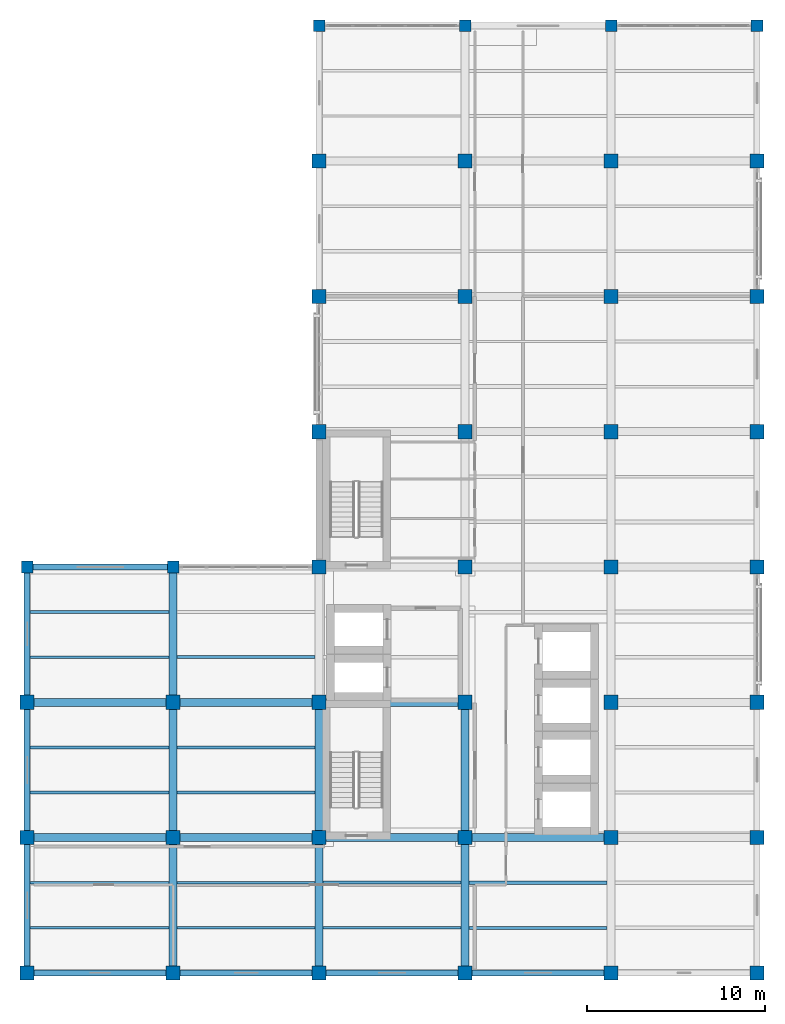
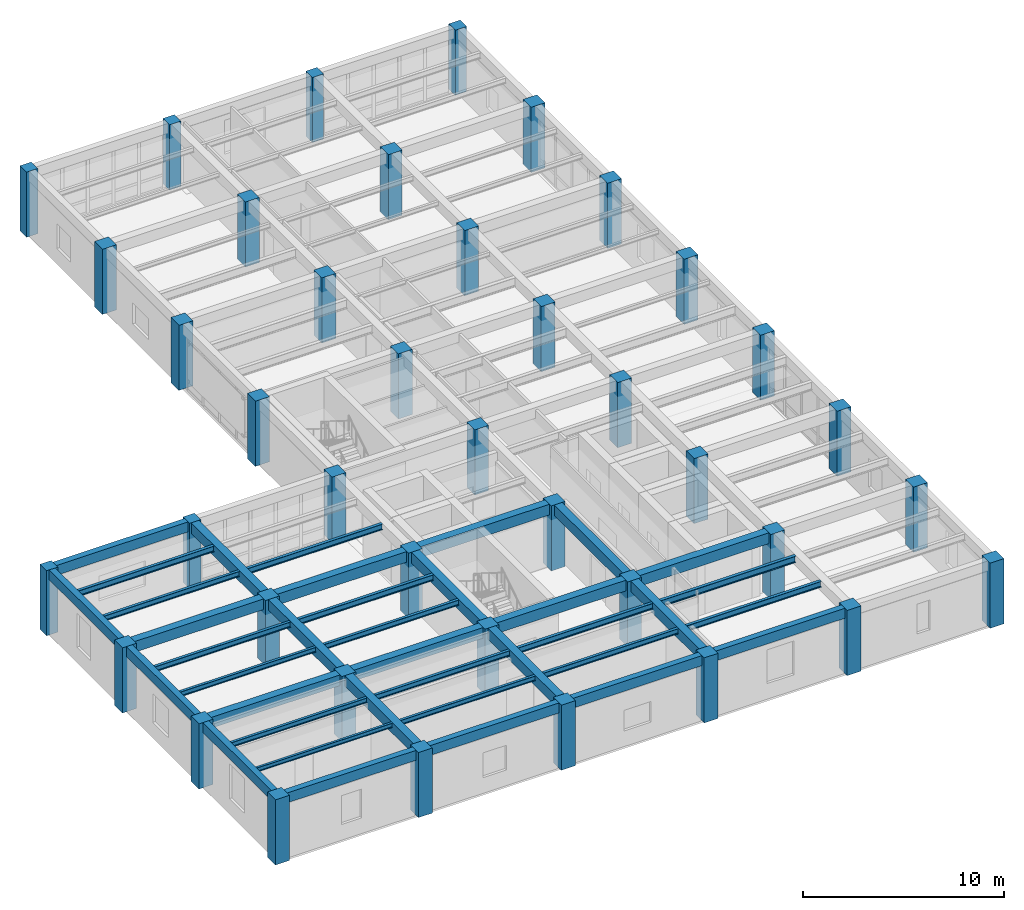
# One storey, part 1 of 13: 40 columns, 37 beams.
"""IFC4 building model written with IfcOpenShell, lengths in metres."""

from ifc_helpers import new_model, si_unit, direction, frame, origin, origin_2d, place, context, subcontext, project, spatial, rectangle, i_section, extrude, material, material_profile, profile_set, type_object, element, save


model = new_model("IFC4")

# Units and contexts
model_context = context("Model", 3, precision=1e-05, world=origin(), true_north=direction((0.0, 1.0)))
body_context = subcontext(model_context, "Body", "Model", "MODEL_VIEW")
ifc_project = project(units=[si_unit("LENGTHUNIT", "METRE"), si_unit("AREAUNIT", "SQUARE_METRE"), si_unit("VOLUMEUNIT", "CUBIC_METRE"), si_unit("PLANEANGLEUNIT", "RADIAN"), si_unit("MASSUNIT", "GRAM", prefix="KILO")], contexts=[model_context])

# Site, building, storey
site_placement = place(None, origin())
site = spatial("IfcSite", under=ifc_project, at=site_placement, CompositionType="ELEMENT")
building_placement = place(site_placement, origin())
building = spatial("IfcBuilding", under=site, at=building_placement, Name="Qandaris Square Conservatory and Botanical Centre", CompositionType="ELEMENT")
storey_placement = place(building_placement, frame((0.0, 0.0, 45.0)))
storey = spatial("IfcBuildingStorey", under=building, at=storey_placement, Name="L10", CompositionType="ELEMENT", Elevation=45.0)

# Columns
ifc_material_1 = material(Name="Concrete C50/60", Category="concrete")
ifc_material_profile_1 = material_profile(ifc_material_1, rectangle(XDim=0.64990234375, YDim=0.64990234375, at=origin_2d()), Name="RC-COL 650x650")
ifc_profile_set_1 = profile_set([ifc_material_profile_1], Name="Concrete C50/60")
column_type_1 = type_object("IfcColumnType", Name="RC Column 650x650", PredefinedType="COLUMN", material=ifc_profile_set_1)
for number, where, z_axis, x_axis, name in (
    (1, (122.800048828125, 39.39990234375, 0.0), (0.0, 0.0, 1.0), (1.0, 0.0, 0.0), "Column E15 (L10)"),
    (2, (131.0, 39.39990234375, 0.0), (0.0, 0.0, 1.0), (1.0, 0.0, 0.0), "Column E16 (L10)"),
    (3, (139.199951171875, 69.800048828125, 0.0), (0.0, 0.0, 1.0), (1.0, 0.0, 0.0), "Column J17 (L10)"),
    (4, (147.39990234375, 69.800048828125, 0.0), (0.0, 0.0, 1.0), (1.0, 0.0, 0.0), "Column J18 (L10)"),
    (5, (155.60009765625, 69.800048828125, 0.0), (0.0, 0.0, 1.0), (1.0, 0.0, 0.0), "Column J19 (L10)"),
    (6, (163.800048828125, 69.800048828125, 0.0), (0.0, 0.0, 1.0), (1.0, 0.0, 0.0), "Column J20 (L10)"),
):
    element("IfcColumn", number, at=place(storey_placement, frame(where, z_axis=z_axis, x_axis=x_axis)), inside=storey, type_object=column_type_1, Name=name, PredefinedType="COLUMN", context=body_context, shape_type="SweptSolid", body=[
        extrude(rectangle(XDim=0.64990234375, YDim=0.64990234375, at=origin_2d()), origin(), (0.0, 0.0, 1.0), 3.949951171875),
    ])
ifc_material_profile_2 = material_profile(ifc_material_1, rectangle(XDim=0.800048828125, YDim=0.800048828125, at=origin_2d()), Name="RC-COL 800x800")
ifc_profile_set_2 = profile_set([ifc_material_profile_2], Name="Concrete C50/60")
column_type_2 = type_object("IfcColumnType", Name="RC Column 800x800", PredefinedType="COLUMN", material=ifc_profile_set_2)
for number, where, z_axis, x_axis, name in (
    (7, (122.800048828125, 16.60009765625, 0.0), (0.0, 0.0, 1.0), (1.0, 0.0, 0.0), "Column B15 (L10)"),
    (8, (122.800048828125, 24.199951171875, 0.0), (0.0, 0.0, 1.0), (1.0, 0.0, 0.0), "Column C15 (L10)"),
    (9, (122.800048828125, 31.800048828125, 0.0), (0.0, 0.0, 1.0), (1.0, 0.0, 0.0), "Column D15 (L10)"),
    (10, (131.0, 16.60009765625, 0.0), (0.0, 0.0, 1.0), (1.0, 0.0, 0.0), "Column B16 (L10)"),
    (11, (131.0, 24.199951171875, 0.0), (0.0, 0.0, 1.0), (1.0, 0.0, 0.0), "Column C16 (L10)"),
    (12, (131.0, 31.800048828125, 0.0), (0.0, 0.0, 1.0), (1.0, 0.0, 0.0), "Column D16 (L10)"),
    (13, (139.199951171875, 16.60009765625, 0.0), (0.0, 0.0, 1.0), (1.0, 0.0, 0.0), "Column B17 (L10)"),
    (14, (139.199951171875, 24.199951171875, 0.0), (0.0, 0.0, 1.0), (1.0, 0.0, 0.0), "Column C17 (L10)"),
    (15, (139.199951171875, 31.800048828125, 0.0), (0.0, 0.0, 1.0), (1.0, 0.0, 0.0), "Column D17 (L10)"),
    (16, (139.199951171875, 39.39990234375, 0.0), (0.0, 0.0, 1.0), (1.0, 0.0, 0.0), "Column E17 (L10)"),
    (17, (139.199951171875, 47.0, 0.0), (0.0, 0.0, 1.0), (1.0, 0.0, 0.0), "Column F17 (L10)"),
    (18, (139.199951171875, 54.60009765625, 0.0), (0.0, 0.0, 1.0), (1.0, 0.0, 0.0), "Column G17 (L10)"),
    (19, (139.199951171875, 62.199951171875, 0.0), (0.0, 0.0, 1.0), (1.0, 0.0, 0.0), "Column H17 (L10)"),
    (20, (147.39990234375, 16.60009765625, 0.0), (0.0, 0.0, 1.0), (1.0, 0.0, 0.0), "Column B18 (L10)"),
    (21, (147.39990234375, 24.199951171875, 0.0), (0.0, 0.0, 1.0), (1.0, 0.0, 0.0), "Column C18 (L10)"),
    (22, (147.39990234375, 31.800048828125, 0.0), (0.0, 0.0, 1.0), (1.0, 0.0, 0.0), "Column D18 (L10)"),
    (23, (147.39990234375, 39.39990234375, 0.0), (0.0, 0.0, 1.0), (1.0, 0.0, 0.0), "Column E18 (L10)"),
    (24, (147.39990234375, 47.0, 0.0), (0.0, 0.0, 1.0), (1.0, 0.0, 0.0), "Column F18 (L10)"),
    (25, (147.39990234375, 54.60009765625, 0.0), (0.0, 0.0, 1.0), (1.0, 0.0, 0.0), "Column G18 (L10)"),
    (26, (147.39990234375, 62.199951171875, 0.0), (0.0, 0.0, 1.0), (1.0, 0.0, 0.0), "Column H18 (L10)"),
    (27, (155.60009765625, 16.60009765625, 0.0), (0.0, 0.0, 1.0), (1.0, 0.0, 0.0), "Column B19 (L10)"),
    (28, (155.60009765625, 24.199951171875, 0.0), (0.0, 0.0, 1.0), (1.0, 0.0, 0.0), "Column C19 (L10)"),
    (29, (155.60009765625, 31.800048828125, 0.0), (0.0, 0.0, 1.0), (1.0, 0.0, 0.0), "Column D19 (L10)"),
    (30, (155.60009765625, 39.39990234375, 0.0), (0.0, 0.0, 1.0), (1.0, 0.0, 0.0), "Column E19 (L10)"),
    (31, (155.60009765625, 47.0, 0.0), (0.0, 0.0, 1.0), (1.0, 0.0, 0.0), "Column F19 (L10)"),
    (32, (155.60009765625, 54.60009765625, 0.0), (0.0, 0.0, 1.0), (1.0, 0.0, 0.0), "Column G19 (L10)"),
    (33, (155.60009765625, 62.199951171875, 0.0), (0.0, 0.0, 1.0), (1.0, 0.0, 0.0), "Column H19 (L10)"),
    (34, (163.800048828125, 16.60009765625, 0.0), (0.0, 0.0, 1.0), (1.0, 0.0, 0.0), "Column B20 (L10)"),
    (35, (163.800048828125, 24.199951171875, 0.0), (0.0, 0.0, 1.0), (1.0, 0.0, 0.0), "Column C20 (L10)"),
    (36, (163.800048828125, 31.800048828125, 0.0), (0.0, 0.0, 1.0), (1.0, 0.0, 0.0), "Column D20 (L10)"),
    (37, (163.800048828125, 39.39990234375, 0.0), (0.0, 0.0, 1.0), (1.0, 0.0, 0.0), "Column E20 (L10)"),
    (38, (163.800048828125, 47.0, 0.0), (0.0, 0.0, 1.0), (1.0, 0.0, 0.0), "Column F20 (L10)"),
    (39, (163.800048828125, 54.60009765625, 0.0), (0.0, 0.0, 1.0), (1.0, 0.0, 0.0), "Column G20 (L10)"),
    (40, (163.800048828125, 62.199951171875, 0.0), (0.0, 0.0, 1.0), (1.0, 0.0, 0.0), "Column H20 (L10)"),
):
    element("IfcColumn", number, at=place(storey_placement, frame(where, z_axis=z_axis, x_axis=x_axis)), inside=storey, type_object=column_type_2, Name=name, PredefinedType="COLUMN", context=body_context, shape_type="SweptSolid", body=[
        extrude(rectangle(XDim=0.800048828125, YDim=0.800048828125, at=origin_2d()), origin(), (0.0, 0.0, 1.0), 3.949951171875),
    ])

# Beams
ifc_material_2 = material(Name="Steel S355", Category="steel")
ifc_material_profile_3 = material_profile(ifc_material_2, i_section(OverallWidth=0.14990234375, OverallDepth=0.300048828125, WebThickness=0.007080078125, FlangeThickness=0.0107421875, FilletRadius=0.014892578125, at=origin_2d()), Name="IPE 300")
ifc_profile_set_3 = profile_set([ifc_material_profile_3], Name="Steel S355")
beam_type_1 = type_object("IfcBeamType", Name="Composite Lab Joist IPE 300", PredefinedType="JOIST", material=ifc_profile_set_3)
for number, where, z_axis, x_axis, name in (
    (41, (122.97509765625, 21.666748046875, 3.7900390625), (1.0, 0.0, 0.0), (0.0, 1.0, 0.0), "L10 Composite Joist 2498"),
    (42, (122.97509765625, 26.7333984375, 3.7900390625), (1.0, 0.0, 0.0), (0.0, 1.0, 0.0), "L10 Composite Joist 2499"),
):
    element("IfcBeam", number, at=place(storey_placement, frame(where, z_axis=z_axis, x_axis=x_axis)), inside=storey, type_object=beam_type_1, Name=name, PredefinedType="JOIST", context=body_context, shape_type="SweptSolid", body=[
        extrude(i_section(OverallWidth=0.14990234375, OverallDepth=0.300048828125, WebThickness=0.007080078125, FlangeThickness=0.0107421875, FilletRadius=0.014892578125, at=origin_2d()), origin(), (0.0, 0.0, 1.0), 7.7998046875),
    ])
beam_1_placement = place(storey_placement, frame((131.22509765625, 19.13330078125, 3.7900390625), z_axis=(1.0, 0.0, 0.0), x_axis=(0.0, 1.0, 0.0)))
element("IfcBeam", 43, at=beam_1_placement, inside=storey, type_object=beam_type_1, Name="L10 Composite Joist 2503", PredefinedType="JOIST", context=body_context, shape_type="SweptSolid", body=[
    extrude(i_section(OverallWidth=0.14990234375, OverallDepth=0.300048828125, WebThickness=0.007080078125, FlangeThickness=0.0107421875, FilletRadius=0.014892578125, at=origin_2d()), origin(), (0.0, 0.0, 1.0), 7.75),
])
ifc_material_profile_4 = material_profile(ifc_material_2, i_section(OverallWidth=0.159912109375, OverallDepth=0.330078125, WebThickness=0.007568359375, FlangeThickness=0.011474609375, FilletRadius=0.01806640625, at=origin_2d()), Name="IPE 330")
ifc_profile_set_4 = profile_set([ifc_material_profile_4], Name="Steel S355")
beam_type_2 = type_object("IfcBeamType", Name="Composite Lab Joist IPE 330", PredefinedType="JOIST", material=ifc_profile_set_4)
for number, where, z_axis, x_axis, name in (
    (44, (122.97509765625, 29.2666015625, 3.77490234375), (1.0, 0.0, 0.0), (0.0, 1.0, 0.0), "L10 Composite Joist 2500"),
    (45, (122.97509765625, 34.333251953125, 3.77490234375), (1.0, 0.0, 0.0), (0.0, 1.0, 0.0), "L10 Composite Joist 2501"),
):
    element("IfcBeam", number, at=place(storey_placement, frame(where, z_axis=z_axis, x_axis=x_axis)), inside=storey, type_object=beam_type_2, Name=name, PredefinedType="JOIST", context=body_context, shape_type="SweptSolid", body=[
        extrude(i_section(OverallWidth=0.159912109375, OverallDepth=0.330078125, WebThickness=0.007568359375, FlangeThickness=0.011474609375, FilletRadius=0.01806640625, at=origin_2d()), origin(), (0.0, 0.0, 1.0), 7.7998046875),
    ])
for number, where, z_axis, x_axis, name in (
    (46, (131.22509765625, 21.666748046875, 3.77490234375), (1.0, 0.0, 0.0), (0.0, 1.0, 0.0), "L10 Composite Joist 2504"),
    (47, (131.22509765625, 26.7333984375, 3.77490234375), (1.0, 0.0, 0.0), (0.0, 1.0, 0.0), "L10 Composite Joist 2505"),
    (48, (139.425048828125, 19.13330078125, 3.77490234375), (1.0, 0.0, 0.0), (0.0, 1.0, 0.0), "L10 Composite Joist 2509"),
):
    element("IfcBeam", number, at=place(storey_placement, frame(where, z_axis=z_axis, x_axis=x_axis)), inside=storey, type_object=beam_type_2, Name=name, PredefinedType="JOIST", context=body_context, shape_type="SweptSolid", body=[
        extrude(i_section(OverallWidth=0.159912109375, OverallDepth=0.330078125, WebThickness=0.007568359375, FlangeThickness=0.011474609375, FilletRadius=0.01806640625, at=origin_2d()), origin(), (0.0, 0.0, 1.0), 7.75),
    ])
ifc_material_profile_5 = material_profile(ifc_material_2, i_section(OverallWidth=0.169921875, OverallDepth=0.360107421875, WebThickness=0.008056640625, FlangeThickness=0.0126953125, FilletRadius=0.01806640625, at=origin_2d()), Name="IPE 360")
ifc_profile_set_5 = profile_set([ifc_material_profile_5], Name="Steel S355")
beam_type_3 = type_object("IfcBeamType", Name="Composite Lab Joist IPE 360", PredefinedType="JOIST", material=ifc_profile_set_5)
beam_2_placement = place(storey_placement, frame((122.97509765625, 36.86669921875, 3.760009765625), z_axis=(1.0, 0.0, 0.0), x_axis=(0.0, 1.0, 0.0)))
element("IfcBeam", 49, at=beam_2_placement, inside=storey, type_object=beam_type_3, Name="L10 Composite Joist 2502", PredefinedType="JOIST", context=body_context, shape_type="SweptSolid", body=[
    extrude(i_section(OverallWidth=0.169921875, OverallDepth=0.360107421875, WebThickness=0.008056640625, FlangeThickness=0.0126953125, FilletRadius=0.01806640625, at=origin_2d()), origin(), (0.0, 0.0, 1.0), 7.7998046875),
])
for number, where, z_axis, x_axis, name in (
    (50, (131.22509765625, 29.2666015625, 3.760009765625), (1.0, 0.0, 0.0), (0.0, 1.0, 0.0), "L10 Composite Joist 2506"),
    (51, (131.22509765625, 34.333251953125, 3.760009765625), (1.0, 0.0, 0.0), (0.0, 1.0, 0.0), "L10 Composite Joist 2507"),
    (52, (139.425048828125, 21.666748046875, 3.760009765625), (1.0, 0.0, 0.0), (0.0, 1.0, 0.0), "L10 Composite Joist 2510"),
    (53, (147.625, 19.13330078125, 3.760009765625), (1.0, 0.0, 0.0), (0.0, 1.0, 0.0), "L10 Composite Joist 2518"),
):
    element("IfcBeam", number, at=place(storey_placement, frame(where, z_axis=z_axis, x_axis=x_axis)), inside=storey, type_object=beam_type_3, Name=name, PredefinedType="JOIST", context=body_context, shape_type="SweptSolid", body=[
        extrude(i_section(OverallWidth=0.169921875, OverallDepth=0.360107421875, WebThickness=0.008056640625, FlangeThickness=0.0126953125, FilletRadius=0.01806640625, at=origin_2d()), origin(), (0.0, 0.0, 1.0), 7.75),
    ])
ifc_material_profile_6 = material_profile(ifc_material_2, i_section(OverallWidth=0.179931640625, OverallDepth=0.39990234375, WebThickness=0.008544921875, FlangeThickness=0.013427734375, FilletRadius=0.02099609375, at=origin_2d()), Name="IPE 400")
ifc_profile_set_6 = profile_set([ifc_material_profile_6], Name="Steel S355")
beam_type_4 = type_object("IfcBeamType", Name="Composite Plinth Joist IPE 400", PredefinedType="JOIST", material=ifc_profile_set_6)
beam_3_placement = place(storey_placement, frame((147.625, 21.666748046875, 3.739990234375), z_axis=(1.0, 0.0, 0.0), x_axis=(0.0, 1.0, 0.0)))
element("IfcBeam", 54, at=beam_3_placement, inside=storey, type_object=beam_type_4, Name="L10 Composite Joist 2519", PredefinedType="JOIST", context=body_context, shape_type="SweptSolid", body=[
    extrude(i_section(OverallWidth=0.179931640625, OverallDepth=0.39990234375, WebThickness=0.008544921875, FlangeThickness=0.013427734375, FilletRadius=0.02099609375, at=origin_2d()), origin(), (0.0, 0.0, 1.0), 7.75),
])
ifc_material_profile_7 = material_profile(ifc_material_1, rectangle(XDim=0.35009765625, YDim=0.60009765625, at=origin_2d()), Name="RC-SP 350x600")
ifc_profile_set_7 = profile_set([ifc_material_profile_7], Name="Concrete C50/60")
beam_type_5 = type_object("IfcBeamType", Name="RC Edge Spandrel Beam 350x600", PredefinedType="SPANDREL", material=ifc_profile_set_7)
for number, where, z_axis, x_axis, name in (
    (55, (122.800048828125, 16.60009765625, 3.64990234375), (1.0, 0.0, 0.0), (0.0, 1.0, 0.0), "L10 Frame Beam 2432"),
    (56, (131.0, 16.60009765625, 3.64990234375), (1.0, 0.0, 0.0), (0.0, 1.0, 0.0), "L10 Frame Beam 2433"),
    (57, (139.199951171875, 16.60009765625, 3.64990234375), (1.0, 0.0, 0.0), (0.0, 1.0, 0.0), "L10 Frame Beam 2434"),
):
    element("IfcBeam", number, at=place(storey_placement, frame(where, z_axis=z_axis, x_axis=x_axis)), inside=storey, type_object=beam_type_5, Name=name, PredefinedType="SPANDREL", context=body_context, shape_type="SweptSolid", body=[
        extrude(rectangle(XDim=0.35009765625, YDim=0.60009765625, at=origin_2d()), origin(), (0.0, 0.0, 1.0), 8.199951171875),
    ])
beam_4_placement = place(storey_placement, frame((147.39990234375, 16.60009765625, 3.64990234375), z_axis=(1.0, 0.0, 0.0), x_axis=(0.0, 1.0, 0.0)))
element("IfcBeam", 58, at=beam_4_placement, inside=storey, type_object=beam_type_5, Name="L10 Frame Beam 2435", PredefinedType="SPANDREL", context=body_context, shape_type="SweptSolid", body=[
    extrude(rectangle(XDim=0.35009765625, YDim=0.60009765625, at=origin_2d()), origin(), (0.0, 0.0, 1.0), 8.2001953125),
])
beam_5_placement = place(storey_placement, frame((122.800048828125, 39.39990234375, 3.64990234375), z_axis=(1.0, 0.0, 0.0), x_axis=(0.0, 1.0, 0.0)))
element("IfcBeam", 59, at=beam_5_placement, inside=storey, type_object=beam_type_5, Name="L10 Frame Beam 2446", PredefinedType="SPANDREL", context=body_context, shape_type="SweptSolid", body=[
    extrude(rectangle(XDim=0.35009765625, YDim=0.60009765625, at=origin_2d()), origin(), (0.0, 0.0, 1.0), 8.199951171875),
])
beam_6_placement = place(storey_placement, frame((122.800048828125, 16.60009765625, 3.64990234375), z_axis=(0.0, 1.0, 0.0), x_axis=(-1.0, 0.0, 0.0)))
element("IfcBeam", 60, at=beam_6_placement, inside=storey, type_object=beam_type_5, Name="L10 Frame Beam 2463", PredefinedType="SPANDREL", context=body_context, shape_type="SweptSolid", body=[
    extrude(rectangle(XDim=0.35009765625, YDim=0.60009765625, at=origin_2d()), origin(), (0.0, 0.0, 1.0), 7.599853515625),
])
beam_7_placement = place(storey_placement, frame((122.800048828125, 24.199951171875, 3.64990234375), z_axis=(0.0, 1.0, 0.0), x_axis=(-1.0, 0.0, 0.0)))
element("IfcBeam", 61, at=beam_7_placement, inside=storey, type_object=beam_type_5, Name="L10 Frame Beam 2464", PredefinedType="SPANDREL", context=body_context, shape_type="SweptSolid", body=[
    extrude(rectangle(XDim=0.35009765625, YDim=0.60009765625, at=origin_2d()), origin(), (0.0, 0.0, 1.0), 7.60009765625),
])
beam_8_placement = place(storey_placement, frame((122.800048828125, 31.800048828125, 3.64990234375), z_axis=(0.0, 1.0, 0.0), x_axis=(-1.0, 0.0, 0.0)))
element("IfcBeam", 62, at=beam_8_placement, inside=storey, type_object=beam_type_5, Name="L10 Frame Beam 2465", PredefinedType="SPANDREL", context=body_context, shape_type="SweptSolid", body=[
    extrude(rectangle(XDim=0.35009765625, YDim=0.60009765625, at=origin_2d()), origin(), (0.0, 0.0, 1.0), 7.599853515625),
])
ifc_material_profile_8 = material_profile(ifc_material_1, rectangle(XDim=0.449951171875, YDim=0.64990234375, at=origin_2d()), Name="RC-BM 450x650")
ifc_profile_set_8 = profile_set([ifc_material_profile_8], Name="Concrete C50/60")
beam_type_6 = type_object("IfcBeamType", Name="RC Floor Girder 450x650", PredefinedType="BEAM", material=ifc_profile_set_8)
for number, where, z_axis, x_axis, name in (
    (63, (122.800048828125, 24.199951171875, 3.625), (1.0, 0.0, 0.0), (0.0, 1.0, 0.0), "L10 Frame Beam 2437"),
    (64, (131.0, 24.199951171875, 3.625), (1.0, 0.0, 0.0), (0.0, 1.0, 0.0), "L10 Frame Beam 2438"),
    (65, (139.199951171875, 24.199951171875, 3.625), (1.0, 0.0, 0.0), (0.0, 1.0, 0.0), "L10 Frame Beam 2439"),
):
    element("IfcBeam", number, at=place(storey_placement, frame(where, z_axis=z_axis, x_axis=x_axis)), inside=storey, type_object=beam_type_6, Name=name, PredefinedType="BEAM", context=body_context, shape_type="SweptSolid", body=[
        extrude(rectangle(XDim=0.449951171875, YDim=0.64990234375, at=origin_2d()), origin(), (0.0, 0.0, 1.0), 8.199951171875),
    ])
beam_9_placement = place(storey_placement, frame((147.39990234375, 24.199951171875, 3.625), z_axis=(1.0, 0.0, 0.0), x_axis=(0.0, 1.0, 0.0)))
element("IfcBeam", 66, at=beam_9_placement, inside=storey, type_object=beam_type_6, Name="L10 Frame Beam 2440", PredefinedType="BEAM", context=body_context, shape_type="SweptSolid", body=[
    extrude(rectangle(XDim=0.449951171875, YDim=0.64990234375, at=origin_2d()), origin(), (0.0, 0.0, 1.0), 8.2001953125),
])
for number, where, z_axis, x_axis, name in (
    (67, (122.800048828125, 31.800048828125, 3.625), (1.0, 0.0, 0.0), (0.0, 1.0, 0.0), "L10 Frame Beam 2442"),
    (68, (131.0, 31.800048828125, 3.625), (1.0, 0.0, 0.0), (0.0, 1.0, 0.0), "L10 Frame Beam 2443"),
    (69, (139.199951171875, 31.800048828125, 3.625), (1.0, 0.0, 0.0), (0.0, 1.0, 0.0), "L10 Frame Beam 2444"),
):
    element("IfcBeam", number, at=place(storey_placement, frame(where, z_axis=z_axis, x_axis=x_axis)), inside=storey, type_object=beam_type_6, Name=name, PredefinedType="BEAM", context=body_context, shape_type="SweptSolid", body=[
        extrude(rectangle(XDim=0.449951171875, YDim=0.64990234375, at=origin_2d()), origin(), (0.0, 0.0, 1.0), 8.199951171875),
    ])
beam_10_placement = place(storey_placement, frame((131.0, 16.60009765625, 3.625), z_axis=(0.0, 1.0, 0.0), x_axis=(-1.0, 0.0, 0.0)))
element("IfcBeam", 70, at=beam_10_placement, inside=storey, type_object=beam_type_6, Name="L10 Frame Beam 2466", PredefinedType="BEAM", context=body_context, shape_type="SweptSolid", body=[
    extrude(rectangle(XDim=0.449951171875, YDim=0.64990234375, at=origin_2d()), origin(), (0.0, 0.0, 1.0), 7.599853515625),
])
beam_11_placement = place(storey_placement, frame((131.0, 24.199951171875, 3.625), z_axis=(0.0, 1.0, 0.0), x_axis=(-1.0, 0.0, 0.0)))
element("IfcBeam", 71, at=beam_11_placement, inside=storey, type_object=beam_type_6, Name="L10 Frame Beam 2467", PredefinedType="BEAM", context=body_context, shape_type="SweptSolid", body=[
    extrude(rectangle(XDim=0.449951171875, YDim=0.64990234375, at=origin_2d()), origin(), (0.0, 0.0, 1.0), 7.60009765625),
])
for number, where, z_axis, x_axis, name in (
    (72, (131.0, 31.800048828125, 3.625), (0.0, 1.0, 0.0), (-1.0, 0.0, 0.0), "L10 Frame Beam 2468"),
    (73, (139.199951171875, 16.60009765625, 3.625), (0.0, 1.0, 0.0), (-1.0, 0.0, 0.0), "L10 Frame Beam 2469"),
):
    element("IfcBeam", number, at=place(storey_placement, frame(where, z_axis=z_axis, x_axis=x_axis)), inside=storey, type_object=beam_type_6, Name=name, PredefinedType="BEAM", context=body_context, shape_type="SweptSolid", body=[
        extrude(rectangle(XDim=0.449951171875, YDim=0.64990234375, at=origin_2d()), origin(), (0.0, 0.0, 1.0), 7.599853515625),
    ])
beam_12_placement = place(storey_placement, frame((139.199951171875, 24.199951171875, 3.625), z_axis=(0.0, 1.0, 0.0), x_axis=(-1.0, 0.0, 0.0)))
element("IfcBeam", 74, at=beam_12_placement, inside=storey, type_object=beam_type_6, Name="L10 Frame Beam 2470", PredefinedType="BEAM", context=body_context, shape_type="SweptSolid", body=[
    extrude(rectangle(XDim=0.449951171875, YDim=0.64990234375, at=origin_2d()), origin(), (0.0, 0.0, 1.0), 7.60009765625),
])
beam_13_placement = place(storey_placement, frame((147.39990234375, 16.60009765625, 3.625), z_axis=(0.0, 1.0, 0.0), x_axis=(-1.0, 0.0, 0.0)))
element("IfcBeam", 75, at=beam_13_placement, inside=storey, type_object=beam_type_6, Name="L10 Frame Beam 2476", PredefinedType="BEAM", context=body_context, shape_type="SweptSolid", body=[
    extrude(rectangle(XDim=0.449951171875, YDim=0.64990234375, at=origin_2d()), origin(), (0.0, 0.0, 1.0), 7.599853515625),
])
beam_14_placement = place(storey_placement, frame((147.39990234375, 24.199951171875, 3.625), z_axis=(0.0, 1.0, 0.0), x_axis=(-1.0, 0.0, 0.0)))
element("IfcBeam", 76, at=beam_14_placement, inside=storey, type_object=beam_type_6, Name="L10 Frame Beam 2477", PredefinedType="BEAM", context=body_context, shape_type="SweptSolid", body=[
    extrude(rectangle(XDim=0.449951171875, YDim=0.64990234375, at=origin_2d()), origin(), (0.0, 0.0, 1.0), 7.60009765625),
])
ifc_material_profile_9 = material_profile(ifc_material_2, i_section(OverallWidth=0.135009765625, OverallDepth=0.27001953125, WebThickness=0.006591796875, FlangeThickness=0.01025390625, FilletRadius=0.014892578125, at=origin_2d()), Name="IPE 270")
ifc_profile_set_9 = profile_set([ifc_material_profile_9], Name="Steel S355")
beam_type_7 = type_object("IfcBeamType", Name="Steel Floor Joist IPE 270", PredefinedType="JOIST", material=ifc_profile_set_9)
beam_15_placement = place(storey_placement, frame((122.97509765625, 19.13330078125, 3.804931640625), z_axis=(1.0, 0.0, 0.0), x_axis=(0.0, 1.0, 0.0)))
element("IfcBeam", 77, at=beam_15_placement, inside=storey, type_object=beam_type_7, Name="L10 Composite Joist 2497", PredefinedType="JOIST", context=body_context, shape_type="SweptSolid", body=[
    extrude(i_section(OverallWidth=0.135009765625, OverallDepth=0.27001953125, WebThickness=0.006591796875, FlangeThickness=0.01025390625, FilletRadius=0.014892578125, at=origin_2d()), origin(), (0.0, 0.0, 1.0), 7.7998046875),
])

save(model, "model.ifc")
